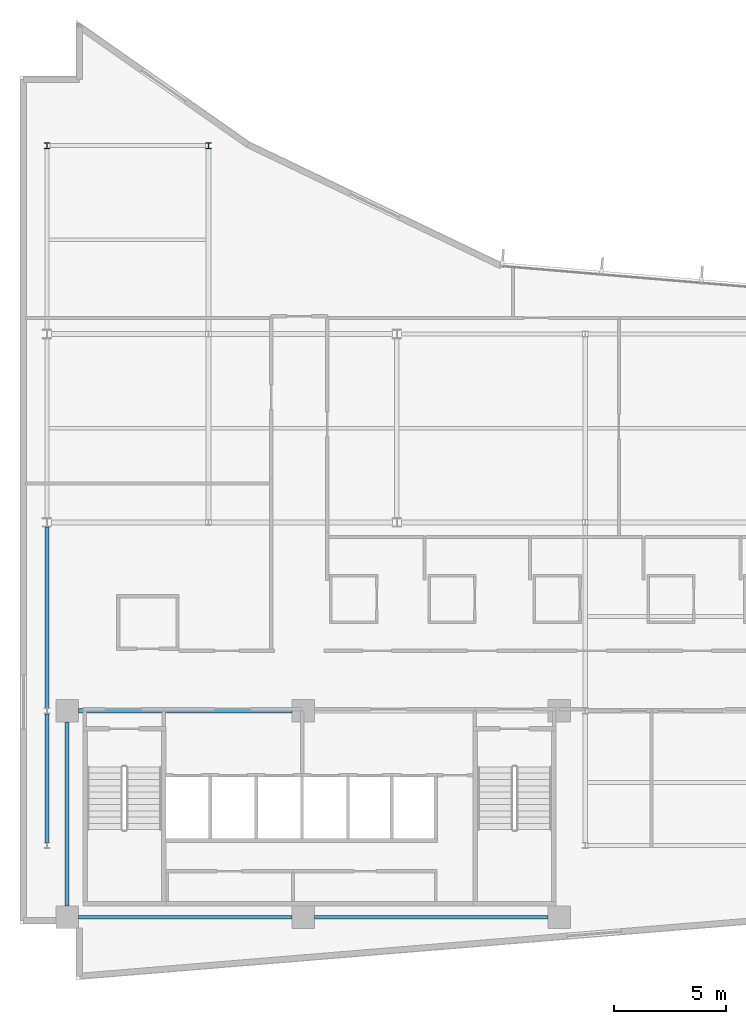
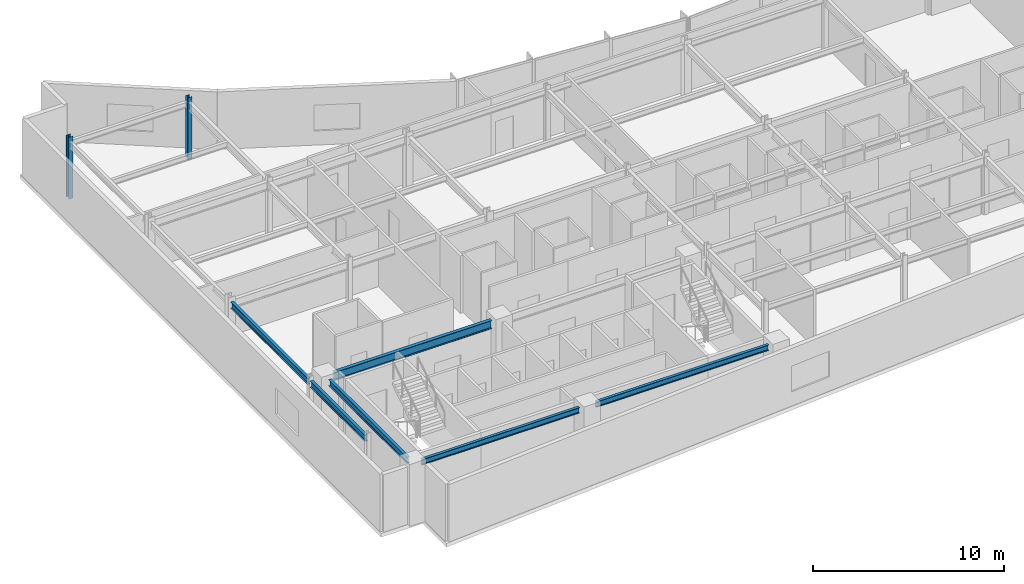
# One storey, part 3 of 15: 6 beams, 2 columns.
"""IFC4 building model written with IfcOpenShell, lengths in metres."""

from ifc_helpers import new_model, si_unit, direction, frame, origin, origin_2d, place, context, subcontext, project, spatial, i_section, extrude, material, material_profile, profile_set, type_object, element, save


model = new_model("IFC4")

# Units and contexts
model_context = context("Model", 3, precision=1e-05, world=origin(), true_north=direction((0.0, 1.0)))
body_context = subcontext(model_context, "Body", "Model", "MODEL_VIEW")
ifc_project = project(units=[si_unit("LENGTHUNIT", "METRE"), si_unit("AREAUNIT", "SQUARE_METRE"), si_unit("VOLUMEUNIT", "CUBIC_METRE"), si_unit("PLANEANGLEUNIT", "RADIAN"), si_unit("MASSUNIT", "GRAM", prefix="KILO")], contexts=[model_context])

# Site, building, storey
site_placement = place(None, origin())
site = spatial("IfcSite", under=ifc_project, at=site_placement, CompositionType="ELEMENT")
building_placement = place(site_placement, origin())
building = spatial("IfcBuilding", under=site, at=building_placement, Name="Varnakote Quay Hospital", CompositionType="ELEMENT")
storey_placement = place(building_placement, frame((0.0, 0.0, 231.60009765625)))
storey = spatial("IfcBuildingStorey", under=building, at=storey_placement, Name="L57", CompositionType="ELEMENT", Elevation=231.60009765625)

# Columns
ifc_material_1 = material(Name="Structural steel AS/NZS 3679.1 Grade 350 L0 (fy 340 MPa)", Category="steel")
ifc_material_profile_1 = material_profile(ifc_material_1, i_section(OverallWidth=0.256103515625, OverallDepth=0.260009765625, WebThickness=0.010498046875, FlangeThickness=0.017333984375, FilletRadius=0.0126953125, at=origin_2d()), Name="250UC89.5")
ifc_profile_set_1 = profile_set([ifc_material_profile_1], Name="Structural steel AS/NZS 3679.1 Grade 350 L0 (fy 340 MPa)")
column_type = type_object("IfcColumnType", Name="COL-STL-250UC89-5", PredefinedType="COLUMN", material=ifc_profile_set_1)
for number, where, z_axis, x_axis, name in (
    (1, (1.199951171875, 37.199951171875, 0.0), (0.0, 0.0, 1.0), (1.0, 0.0, 0.0), "L57 Structural Column C-1-37"),
    (2, (8.39990234375, 37.199951171875, 0.0), (0.0, 0.0, 1.0), (1.0, 0.0, 0.0), "L57 Structural Column C-8-37"),
):
    element("IfcColumn", number, at=place(storey_placement, frame(where, z_axis=z_axis, x_axis=x_axis)), inside=storey, type_object=column_type, Name=name, PredefinedType="COLUMN", context=body_context, shape_type="SweptSolid", body=[
        extrude(i_section(OverallWidth=0.256103515625, OverallDepth=0.260009765625, WebThickness=0.010498046875, FlangeThickness=0.017333984375, FilletRadius=0.0126953125, at=origin_2d()), origin(), (0.0, 0.0, 1.0), 3.949951171875),
    ])

# Beams
ifc_material_2 = material(Name="Structural steel AS/NZS 3679.1 Grade 350 L0 (fy 340 MPa)", Category="steel")
ifc_material_profile_2 = material_profile(ifc_material_2, i_section(OverallWidth=0.208984375, OverallDepth=0.532958984375, WebThickness=0.01025390625, FlangeThickness=0.015625, FilletRadius=0.013916015625, at=origin_2d()), Name="530UB92.4")
ifc_profile_set_2 = profile_set([ifc_material_profile_2], Name="Structural steel AS/NZS 3679.1 Grade 350 L0 (fy 340 MPa)")
beam_type_1 = type_object("IfcBeamType", Name="BM-STL-530UB92-4", PredefinedType="BEAM", material=ifc_profile_set_2)
beam_1_placement = place(storey_placement, frame((2.60009765625, 12.0, 3.4033203125), z_axis=(1.0, 0.0, 0.0), x_axis=(0.0, 1.0, 0.0)))
element("IfcBeam", 3, at=beam_1_placement, inside=storey, type_object=beam_type_1, Name="L57 Primary Floor Beam", PredefinedType="BEAM", context=body_context, shape_type="SweptSolid", body=[
    extrude(i_section(OverallWidth=0.208984375, OverallDepth=0.532958984375, WebThickness=0.01025390625, FlangeThickness=0.015625, FilletRadius=0.013916015625, at=origin_2d()), origin(), (0.0, 0.0, 1.0), 9.52001953125),
])
ifc_material_3 = material(Name="Structural steel AS/NZS 3679.1 Grade 350 L0 (fy 340 MPa)", Category="steel")
ifc_material_profile_3 = material_profile(ifc_material_3, i_section(OverallWidth=0.172119140625, OverallDepth=0.35888671875, WebThickness=0.008056640625, FlangeThickness=0.012939453125, FilletRadius=0.011474609375, at=origin_2d()), Name="360UB56.7")
ifc_profile_set_3 = profile_set([ifc_material_profile_3], Name="Structural steel AS/NZS 3679.1 Grade 350 L0 (fy 340 MPa)")
beam_type_2 = type_object("IfcBeamType", Name="SPN-STL-360UB56-7", PredefinedType="SPANDREL", material=ifc_profile_set_3)
beam_2_placement = place(storey_placement, frame((2.60009765625, 2.800048828125, 3.490478515625), z_axis=(1.0, 0.0, 0.0), x_axis=(0.0, 1.0, 0.0)))
element("IfcBeam", 4, at=beam_2_placement, inside=storey, type_object=beam_type_2, Name="L57 Perimeter Spandrel Beam", PredefinedType="SPANDREL", context=body_context, shape_type="SweptSolid", body=[
    extrude(i_section(OverallWidth=0.172119140625, OverallDepth=0.35888671875, WebThickness=0.008056640625, FlangeThickness=0.012939453125, FilletRadius=0.011474609375, at=origin_2d()), origin(), (0.0, 0.0, 1.0), 9.52001953125),
])
beam_3_placement = place(storey_placement, frame((13.1201171875, 2.800048828125, 3.490478515625), z_axis=(1.0, 0.0, 0.0), x_axis=(0.0, 1.0, 0.0)))
element("IfcBeam", 5, at=beam_3_placement, inside=storey, type_object=beam_type_2, Name="L57 Perimeter Spandrel Beam", PredefinedType="SPANDREL", context=body_context, shape_type="SweptSolid", body=[
    extrude(i_section(OverallWidth=0.172119140625, OverallDepth=0.35888671875, WebThickness=0.008056640625, FlangeThickness=0.012939453125, FilletRadius=0.011474609375, at=origin_2d()), origin(), (0.0, 0.0, 1.0), 10.429931640625),
])
ifc_material_4 = material(Name="Structural steel AS/NZS 3679.1 Grade 350 L0 (fy 340 MPa)", Category="steel")
ifc_material_profile_4 = material_profile(ifc_material_4, i_section(OverallWidth=0.177978515625, OverallDepth=0.403076171875, WebThickness=0.007568359375, FlangeThickness=0.010986328125, FilletRadius=0.011474609375, at=origin_2d()), Name="410UB53.7")
ifc_profile_set_4 = profile_set([ifc_material_profile_4], Name="Structural steel AS/NZS 3679.1 Grade 350 L0 (fy 340 MPa)")
beam_type_3 = type_object("IfcBeamType", Name="SPN-STL-410UB53-7", PredefinedType="SPANDREL", material=ifc_profile_set_4)
beam_4_placement = place(storey_placement, frame((1.199951171875, 6.1298828125, 3.468505859375), z_axis=(0.0, 1.0, 0.0), x_axis=(-1.0, 0.0, 0.0)))
element("IfcBeam", 6, at=beam_4_placement, inside=storey, type_object=beam_type_3, Name="L57 Perimeter Spandrel Beam", PredefinedType="SPANDREL", context=body_context, shape_type="SweptSolid", body=[
    extrude(i_section(OverallWidth=0.177978515625, OverallDepth=0.403076171875, WebThickness=0.007568359375, FlangeThickness=0.010986328125, FilletRadius=0.011474609375, at=origin_2d()), origin(), (0.0, 0.0, 1.0), 5.740234375),
])
beam_5_placement = place(storey_placement, frame((1.199951171875, 12.1298828125, 3.468505859375), z_axis=(0.0, 1.0, 0.0), x_axis=(-1.0, 0.0, 0.0)))
element("IfcBeam", 7, at=beam_5_placement, inside=storey, type_object=beam_type_3, Name="L57 Perimeter Spandrel Beam", PredefinedType="SPANDREL", context=body_context, shape_type="SweptSolid", body=[
    extrude(i_section(OverallWidth=0.177978515625, OverallDepth=0.403076171875, WebThickness=0.007568359375, FlangeThickness=0.010986328125, FilletRadius=0.011474609375, at=origin_2d()), origin(), (0.0, 0.0, 1.0), 8.068115234375),
])
beam_6_placement = place(storey_placement, frame((2.10009765625, 3.300048828125, 3.468505859375), z_axis=(0.0, 1.0, 0.0), x_axis=(-1.0, 0.0, 0.0)))
element("IfcBeam", 8, at=beam_6_placement, inside=storey, type_object=beam_type_3, Name="L57 Perimeter Spandrel Beam", PredefinedType="SPANDREL", context=body_context, shape_type="SweptSolid", body=[
    extrude(i_section(OverallWidth=0.177978515625, OverallDepth=0.403076171875, WebThickness=0.007568359375, FlangeThickness=0.010986328125, FilletRadius=0.011474609375, at=origin_2d()), origin(), (0.0, 0.0, 1.0), 8.199951171875),
])

save(model, "model.ifc")
